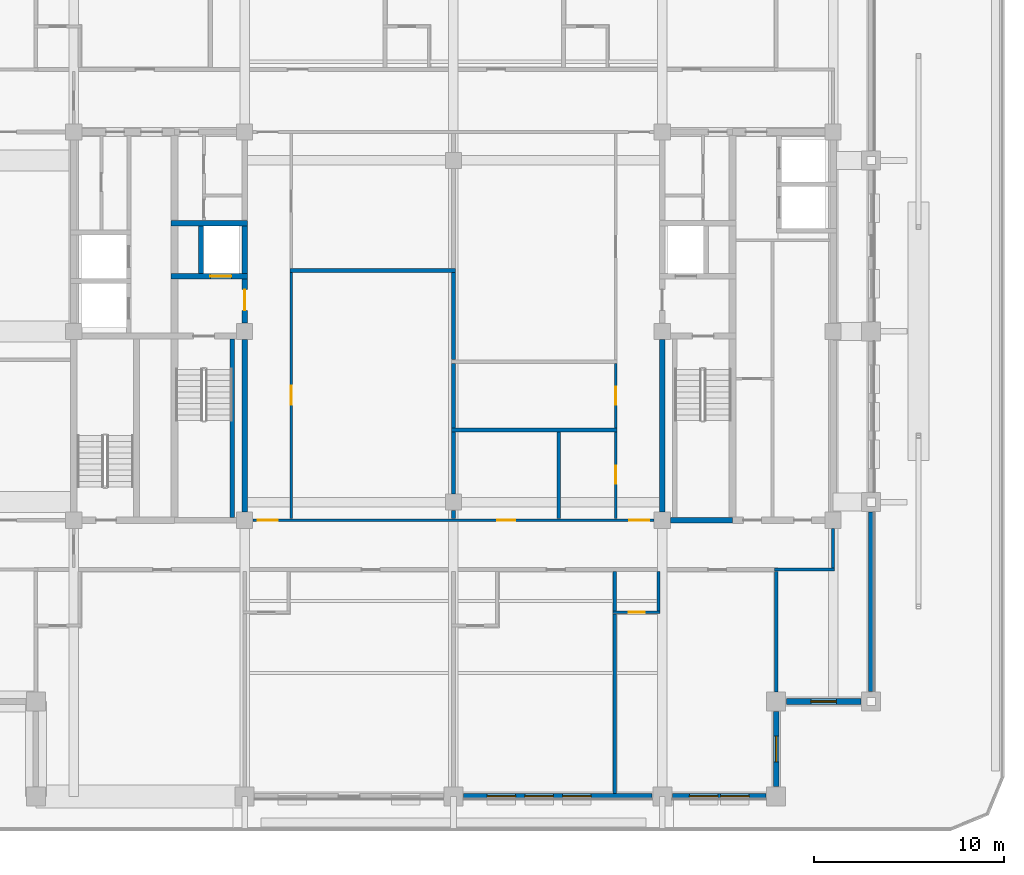
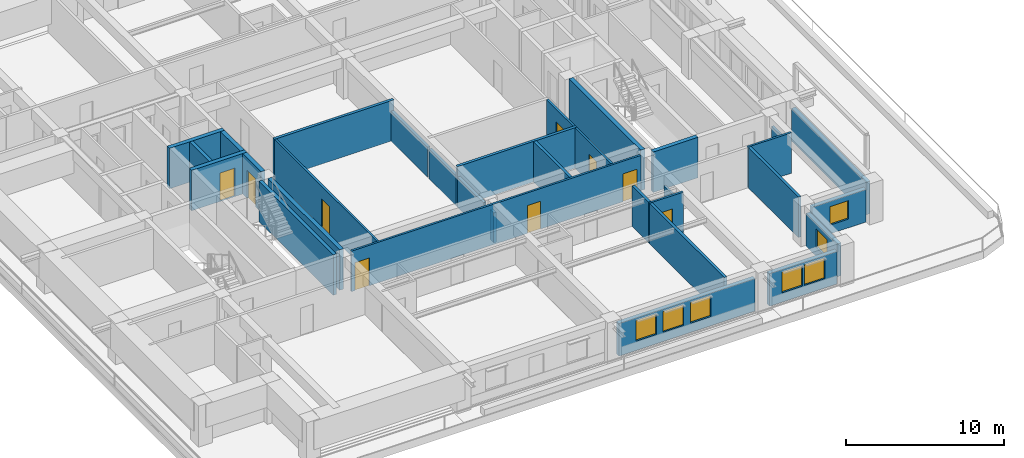
# One storey, part 7 of 18: 32 walls, 9 doors, 7 windows, 16 openings.
"""IFC4 building model written with IfcOpenShell, lengths in metres."""

from ifc_helpers import new_model, si_unit, direction, frame, frame_2d, origin, place, context, subcontext, project, spatial, rectangle, extrude, material, layer, layer_set, type_object, element, fill, save


model = new_model("IFC4")

# Units and contexts
model_context = context("Model", 3, precision=1e-05, world=origin(), true_north=direction((0.0, 1.0)))
body_context = subcontext(model_context, "Body", "Model", "MODEL_VIEW")
ifc_project = project(units=[si_unit("LENGTHUNIT", "METRE"), si_unit("AREAUNIT", "SQUARE_METRE"), si_unit("VOLUMEUNIT", "CUBIC_METRE"), si_unit("PLANEANGLEUNIT", "RADIAN"), si_unit("MASSUNIT", "GRAM", prefix="KILO")], contexts=[model_context])

# Site, building, storey
site_placement = place(None, origin())
site = spatial("IfcSite", under=ifc_project, at=site_placement, CompositionType="ELEMENT")
building_placement = place(site_placement, origin())
building = spatial("IfcBuilding", under=site, at=building_placement, Name="Zulmaris Gate Convention Tower", CompositionType="ELEMENT")
storey_placement = place(building_placement, frame((0.0, 0.0, 191.4599609375)))
storey = spatial("IfcBuildingStorey", under=building, at=storey_placement, Name="L49", CompositionType="ELEMENT", Elevation=191.4599609375)

# Walls
ifc_material_1 = material(Name="Concrete C50/60", Category="concrete")
ifc_layer_1 = layer(ifc_material_1, 0.25, Name="Concrete C50/60")
ifc_layer_set_1 = layer_set([ifc_layer_1], Name="Concrete C50/60")
wall_type_1 = type_object("IfcWallType", Name="CORE-250", PredefinedType="SOLIDWALL", material=ifc_layer_set_1)
wall_1_placement = place(storey_placement, frame((-13.300048828125, 3.052001953125, 0.0), z_axis=(0.0, 0.0, 1.0), x_axis=(0.0, 1.0, 0.0)))
element("IfcWall", 1, at=wall_1_placement, inside=storey, type_object=wall_type_1, Name="WL-L49-055", PredefinedType="SOLIDWALL", context=body_context, shape_type="SweptSolid", body=[
    extrude(rectangle(XDim=2.49609375, YDim=0.25, at=frame_2d((1.248046875, 0.0))), origin(), (0.0, 0.0, 1.0), 3.125),
])
wall_2_placement = place(storey_placement, frame((-11.64990234375, -9.798095703125, 0.0), z_axis=(0.0, 0.0, 1.0), x_axis=(0.0, 1.0, 0.0)))
element("IfcWall", 2, at=wall_2_placement, inside=storey, type_object=wall_type_1, Name="WL-L49-056", PredefinedType="SOLIDWALL", context=body_context, shape_type="SweptSolid", body=[
    extrude(rectangle(XDim=9.39599609375, YDim=0.25, at=frame_2d((4.697998046875, 0.0))), origin(), (0.0, 0.0, 1.0), 3.125),
])
ifc_layer_2 = layer(ifc_material_1, 0.300048828125, Name="Concrete C50/60")
ifc_layer_set_2 = layer_set([ifc_layer_2], Name="Concrete C50/60")
wall_type_2 = type_object("IfcWallType", Name="CORE-300", PredefinedType="SHEAR", material=ifc_layer_set_2)
wall_3_placement = place(storey_placement, frame((11.428955078125, -9.949951171875, 0.0), z_axis=(0.0, 0.0, 1.0), x_axis=(1.0, 0.0, 0.0)))
element("IfcWall", 3, at=wall_3_placement, inside=storey, type_object=wall_type_2, Name="WL-L49-003", PredefinedType="SHEAR", context=body_context, shape_type="SweptSolid", body=[
    extrude(rectangle(XDim=3.27099609375, YDim=0.300048828125, at=frame_2d((1.635498046875, 0.0))), origin(), (0.0, 0.0, 1.0), 3.125),
])

# Wall, opening, door
wall_4_placement = place(storey_placement, frame((-14.875, 2.89990234375, 0.0), z_axis=(0.0, 0.0, 1.0), x_axis=(1.0, 0.0, 0.0)))
wall_4 = element("IfcWall", 4, at=wall_4_placement, inside=storey, type_object=wall_type_2, Name="WL-L49-008", PredefinedType="SHEAR", context=body_context, shape_type="SweptSolid", body=[
    extrude(rectangle(XDim=4.02490234375, YDim=0.300048828125, at=frame_2d((2.012451171875, 0.0))), origin(), (0.0, 0.0, 1.0), 3.125),
])
opening_1_placement = place(wall_4_placement, frame((2.074951171875, 0.0, 0.0)))
opening_1 = element("IfcOpeningElement", 5, at=opening_1_placement, cuts=wall_4, Name="Opening D-06", PredefinedType="OPENING", context=body_context, shape_type="SweptSolid", body=[
    extrude(rectangle(XDim=1.10009765625, YDim=2.199951171875, at=frame_2d((0.550048828125, 1.10009765625))), frame((0.0, 0.16015625, 0.0), z_axis=(0.0, -1.0, 0.0), x_axis=(1.0, 0.0, 0.0)), (0.0, 0.0, 1.0), 0.320068359375),
])
ifc_material_2 = material(Name="Brushed Stainless Steel", Category="steel")
door_type_1 = type_object("IfcDoorType", Name="LD-1100", OperationType="NOTDEFINED", PredefinedType="DOOR", material=ifc_material_2)
door_1_placement = place(opening_1_placement, origin())
door_1 = element("IfcDoor", 6, at=door_1_placement, inside=storey, type_object=door_type_1, Name="L49 Lift Landing Door LF-01 03", OperationType="SLIDING_TO_LEFT", OverallHeight=2.199951171875, OverallWidth=1.10009765625, PredefinedType="DOOR", context=body_context, shape_type="SweptSolid", body=[
    extrude(rectangle(XDim=1.10009765625, YDim=2.199951171875, at=frame_2d((0.550048828125, 1.10009765625))), frame((0.0, 0.02490234375, 0.0), z_axis=(0.0, -1.0, 0.0), x_axis=(1.0, 0.0, 0.0)), (0.0, 0.0, 1.0), 0.050048828125),
])
fill(opening_1, door_1)

# Walls
wall_5_placement = place(storey_placement, frame((-14.875, 5.699951171875, 0.0), z_axis=(0.0, 0.0, 1.0), x_axis=(1.0, 0.0, 0.0)))
element("IfcWall", 7, at=wall_5_placement, inside=storey, type_object=wall_type_2, Name="WL-L49-012", PredefinedType="SHEAR", context=body_context, shape_type="SweptSolid", body=[
    extrude(rectangle(XDim=4.02490234375, YDim=0.300048828125, at=frame_2d((2.012451171875, 0.0))), origin(), (0.0, 0.0, 1.0), 3.125),
])
wall_6_placement = place(storey_placement, frame((-11.0, -9.52099609375, 0.0), z_axis=(0.0, 0.0, 1.0), x_axis=(0.0, 1.0, 0.0)))
element("IfcWall", 8, at=wall_6_placement, inside=storey, type_object=wall_type_2, Name="WL-L49-057", PredefinedType="SHEAR", context=body_context, shape_type="SweptSolid", body=[
    extrude(rectangle(XDim=9.092041015625, YDim=0.300048828125, at=frame_2d((4.5458984375, 0.0))), origin(), (0.0, 0.0, 1.0), 3.125),
])

# Wall, opening, door
wall_7_placement = place(storey_placement, frame((-11.0, 0.428955078125, 0.0), z_axis=(0.0, 0.0, 1.0), x_axis=(0.0, 1.0, 0.0)))
wall_7 = element("IfcWall", 9, at=wall_7_placement, inside=storey, type_object=wall_type_2, Name="WL-L49-058", PredefinedType="SHEAR", context=body_context, shape_type="SweptSolid", body=[
    extrude(rectangle(XDim=2.319091796875, YDim=0.300048828125, at=frame_2d((1.15966796875, 0.0))), origin(), (0.0, 0.0, 1.0), 3.125),
])
opening_2_placement = place(wall_7_placement, frame((0.6708984375, 0.0, 0.0)))
opening_2 = element("IfcOpeningElement", 10, at=opening_2_placement, cuts=wall_7, Name="Opening D-08", PredefinedType="OPENING", context=body_context, shape_type="SweptSolid", body=[
    extrude(rectangle(XDim=1.10009765625, YDim=2.14990234375, at=frame_2d((0.550048828125, 1.074951171875))), frame((0.0, 0.16015625, 0.0), z_axis=(0.0, -1.0, 0.0), x_axis=(1.0, 0.0, 0.0)), (0.0, 0.0, 1.0), 0.320068359375),
])
ifc_material_3 = material(Name="Fire-Rated Steel", Category="steel")
door_type_2 = type_object("IfcDoorType", Name="DR-1100-FD", OperationType="NOTDEFINED", PredefinedType="DOOR", material=ifc_material_3)
door_2_placement = place(opening_2_placement, origin())
door_2 = element("IfcDoor", 11, at=door_2_placement, inside=storey, type_object=door_type_2, Name="L49 West Firefighting Lobby Door 02", OperationType="SINGLE_SWING_RIGHT", OverallHeight=2.14990234375, OverallWidth=1.10009765625, PredefinedType="DOOR", context=body_context, shape_type="SweptSolid", body=[
    extrude(rectangle(XDim=1.10009765625, YDim=2.14990234375, at=frame_2d((0.550048828125, 1.074951171875))), frame((0.0, 0.02490234375, 0.0), z_axis=(0.0, -1.0, 0.0), x_axis=(1.0, 0.0, 0.0)), (0.0, 0.0, 1.0), 0.050048828125),
])
fill(opening_2, door_2)

# Walls
wall_8_placement = place(storey_placement, frame((-11.0, 3.052001953125, 0.0), z_axis=(0.0, 0.0, 1.0), x_axis=(0.0, 1.0, 0.0)))
element("IfcWall", 12, at=wall_8_placement, inside=storey, type_object=wall_type_2, Name="WL-L49-059", PredefinedType="SHEAR", context=body_context, shape_type="SweptSolid", body=[
    extrude(rectangle(XDim=2.49609375, YDim=0.300048828125, at=frame_2d((1.248046875, 0.0))), origin(), (0.0, 0.0, 1.0), 3.125),
])
wall_9_placement = place(storey_placement, frame((11.0, -9.52099609375, 0.0), z_axis=(0.0, 0.0, 1.0), x_axis=(0.0, 1.0, 0.0)))
element("IfcWall", 13, at=wall_9_placement, inside=storey, type_object=wall_type_2, Name="WL-L49-061", PredefinedType="SHEAR", context=body_context, shape_type="SweptSolid", body=[
    extrude(rectangle(XDim=9.092041015625, YDim=0.300048828125, at=frame_2d((4.5458984375, 0.0))), origin(), (0.0, 0.0, 1.0), 3.125),
])

# Wall, opening, door
ifc_material_4 = material(Name="Gypsum Metal Stud Partition")
ifc_layer_3 = layer(ifc_material_4, 0.14990234375, Name="Gypsum Metal Stud Partition")
ifc_layer_set_3 = layer_set([ifc_layer_3], Name="Gypsum Metal Stud Partition")
wall_type_3 = type_object("IfcWallType", Name="PART-150", PredefinedType="PARTITIONING", material=ifc_layer_set_3)
wall_10_placement = place(storey_placement, frame((8.39990234375, -14.800048828125, 0.0), z_axis=(0.0, 0.0, 1.0), x_axis=(1.0, 0.0, 0.0)))
wall_10 = element("IfcWall", 14, at=wall_10_placement, inside=storey, type_object=wall_type_3, Name="WL-L49-022", PredefinedType="PARTITIONING", context=body_context, shape_type="SweptSolid", body=[
    extrude(rectangle(XDim=2.47509765625, YDim=0.14990234375, at=frame_2d((1.237548828125, 0.0))), origin(), (0.0, 0.0, 1.0), 3.125),
])
opening_3_placement = place(wall_10_placement, frame((0.824951171875, 0.0, 0.0)))
opening_3 = element("IfcOpeningElement", 15, at=opening_3_placement, cuts=wall_10, Name="Opening D-17", PredefinedType="OPENING", context=body_context, shape_type="SweptSolid", body=[
    extrude(rectangle(XDim=0.85009765625, YDim=2.10009765625, at=frame_2d((0.425048828125, 1.050048828125))), frame((0.0, 0.0849609375, 0.0), z_axis=(0.0, -1.0, 0.0), x_axis=(1.0, 0.0, 0.0)), (0.0, 0.0, 1.0), 0.169921875),
])
ifc_material_5 = material(Name="Moisture-Resistant Hardwood Timber", Category="wood")
door_type_3 = type_object("IfcDoorType", Name="DR-850", OperationType="NOTDEFINED", PredefinedType="DOOR", material=ifc_material_5)
door_3_placement = place(opening_3_placement, origin())
door_3 = element("IfcDoor", 16, at=door_3_placement, inside=storey, type_object=door_type_3, Name="L49 En-Suite Door 43", OperationType="SINGLE_SWING_LEFT", OverallHeight=2.10009765625, OverallWidth=0.85009765625, PredefinedType="DOOR", context=body_context, shape_type="SweptSolid", body=[
    extrude(rectangle(XDim=0.85009765625, YDim=2.10009765625, at=frame_2d((0.425048828125, 1.050048828125))), frame((0.0, 0.02490234375, 0.0), z_axis=(0.0, -1.0, 0.0), x_axis=(1.0, 0.0, 0.0)), (0.0, 0.0, 1.0), 0.050048828125),
])
fill(opening_3, door_3)

# Wall
wall_11_placement = place(storey_placement, frame((16.89990234375, -12.550048828125, 0.0), z_axis=(0.0, 0.0, 1.0), x_axis=(1.0, 0.0, 0.0)))
element("IfcWall", 17, at=wall_11_placement, inside=storey, type_object=wall_type_3, Name="WL-L49-025", PredefinedType="PARTITIONING", context=body_context, shape_type="SweptSolid", body=[
    extrude(rectangle(XDim=3.175048828125, YDim=0.14990234375, at=frame_2d((1.58740234375, 0.0))), origin(), (0.0, 0.0, 1.0), 3.125),
])

# Wall, openings, doors
wall_12_placement = place(storey_placement, frame((-10.569091796875, -9.949951171875, 0.0), z_axis=(0.0, 0.0, 1.0), x_axis=(1.0, 0.0, 0.0)))
wall_12 = element("IfcWall", 18, at=wall_12_placement, inside=storey, type_object=wall_type_3, Name="WL-L49-027", PredefinedType="PARTITIONING", context=body_context, shape_type="SweptSolid", body=[
    extrude(rectangle(XDim=21.13818359375, YDim=0.14990234375, at=frame_2d((10.569091796875, 0.0))), origin(), (0.0, 0.0, 1.0), 3.125),
])
opening_4_placement = place(wall_12_placement, frame((0.263916015625, 0.0, 0.0)))
opening_4 = element("IfcOpeningElement", 19, at=opening_4_placement, cuts=wall_12, Name="Opening D-09", PredefinedType="OPENING", context=body_context, shape_type="SweptSolid", body=[
    extrude(rectangle(XDim=1.050048828125, YDim=2.14990234375, at=frame_2d((0.52490234375, 1.074951171875))), frame((0.0, 0.0849609375, 0.0), z_axis=(0.0, -1.0, 0.0), x_axis=(1.0, 0.0, 0.0)), (0.0, 0.0, 1.0), 0.169921875),
])
opening_5_placement = place(wall_12_placement, frame((19.823974609375, 0.0, 0.0)))
opening_5 = element("IfcOpeningElement", 20, at=opening_5_placement, cuts=wall_12, Name="Opening D-09", PredefinedType="OPENING", context=body_context, shape_type="SweptSolid", body=[
    extrude(rectangle(XDim=1.050048828125, YDim=2.14990234375, at=frame_2d((0.52490234375, 1.074951171875))), frame((0.0, 0.0849609375, 0.0), z_axis=(0.0, -1.0, 0.0), x_axis=(1.0, 0.0, 0.0)), (0.0, 0.0, 1.0), 0.169921875),
])
opening_6_placement = place(wall_12_placement, frame((12.8740234375, 0.0, 0.0)))
opening_6 = element("IfcOpeningElement", 21, at=opening_6_placement, cuts=wall_12, Name="Opening D-11", PredefinedType="OPENING", context=body_context, shape_type="SweptSolid", body=[
    extrude(rectangle(XDim=0.949951171875, YDim=2.14990234375, at=frame_2d((0.47509765625, 1.074951171875))), frame((0.0, 0.0849609375, 0.0), z_axis=(0.0, -1.0, 0.0), x_axis=(1.0, 0.0, 0.0)), (0.0, 0.0, 1.0), 0.169921875),
])
door_type_4 = type_object("IfcDoorType", Name="DR-1050-FD", OperationType="NOTDEFINED", PredefinedType="DOOR", material=ifc_material_3)
door_4_placement = place(opening_4_placement, origin())
door_4 = element("IfcDoor", 22, at=door_4_placement, inside=storey, type_object=door_type_4, Name="L49 SW Hotel Loop Door 26", OperationType="SINGLE_SWING_RIGHT", OverallHeight=2.14990234375, OverallWidth=1.050048828125, PredefinedType="DOOR", context=body_context, shape_type="SweptSolid", body=[
    extrude(rectangle(XDim=1.050048828125, YDim=2.14990234375, at=frame_2d((0.52490234375, 1.074951171875))), frame((0.0, 0.02490234375, 0.0), z_axis=(0.0, -1.0, 0.0), x_axis=(1.0, 0.0, 0.0)), (0.0, 0.0, 1.0), 0.050048828125),
])
fill(opening_4, door_4)
door_5_placement = place(opening_5_placement, origin())
door_5 = element("IfcDoor", 23, at=door_5_placement, inside=storey, type_object=door_type_4, Name="L49 SE Hotel Loop Door 28", OperationType="SINGLE_SWING_RIGHT", OverallHeight=2.14990234375, OverallWidth=1.050048828125, PredefinedType="DOOR", context=body_context, shape_type="SweptSolid", body=[
    extrude(rectangle(XDim=1.050048828125, YDim=2.14990234375, at=frame_2d((0.52490234375, 1.074951171875))), frame((0.0, 0.02490234375, 0.0), z_axis=(0.0, -1.0, 0.0), x_axis=(1.0, 0.0, 0.0)), (0.0, 0.0, 1.0), 0.050048828125),
])
fill(opening_5, door_5)
ifc_material_6 = material(Name="Fire-Rated Timber", Category="wood")
door_type_5 = type_object("IfcDoorType", Name="DR-950-FD", OperationType="NOTDEFINED", PredefinedType="DOOR", material=ifc_material_6)
door_6_placement = place(opening_6_placement, origin())
door_6 = element("IfcDoor", 24, at=door_6_placement, inside=storey, type_object=door_type_5, Name="L49 Staging Store Door 49", OperationType="SINGLE_SWING_LEFT", OverallHeight=2.14990234375, OverallWidth=0.949951171875, PredefinedType="DOOR", context=body_context, shape_type="SweptSolid", body=[
    extrude(rectangle(XDim=0.949951171875, YDim=2.14990234375, at=frame_2d((0.47509765625, 1.074951171875))), frame((0.0, 0.02490234375, 0.0), z_axis=(0.0, -1.0, 0.0), x_axis=(1.0, 0.0, 0.0)), (0.0, 0.0, 1.0), 0.050048828125),
])
fill(opening_6, door_6)

# Wall, opening, door
wall_13_placement = place(storey_placement, frame((-8.550048828125, -9.8720703125, 0.0), z_axis=(0.0, 0.0, 1.0), x_axis=(0.0, 1.0, 0.0)))
wall_13 = element("IfcWall", 25, at=wall_13_placement, inside=storey, type_object=wall_type_3, Name="WL-L49-092", PredefinedType="PARTITIONING", context=body_context, shape_type="SweptSolid", body=[
    extrude(rectangle(XDim=12.968994140625, YDim=0.14990234375, at=frame_2d((6.484375, 0.0))), origin(), (0.0, 0.0, 1.0), 3.125),
])
opening_7_placement = place(wall_13_placement, frame((6.001953125, 0.0, 0.0)))
opening_7 = element("IfcOpeningElement", 26, at=opening_7_placement, cuts=wall_13, Name="Opening D-10", PredefinedType="OPENING", context=body_context, shape_type="SweptSolid", body=[
    extrude(rectangle(XDim=1.0, YDim=2.14990234375, at=frame_2d((0.5, 1.074951171875))), frame((0.0, 0.0849609375, 0.0), z_axis=(0.0, -1.0, 0.0), x_axis=(1.0, 0.0, 0.0)), (0.0, 0.0, 1.0), 0.169921875),
])
door_type_6 = type_object("IfcDoorType", Name="DR-1000-FD", OperationType="NOTDEFINED", PredefinedType="DOOR", material=ifc_material_6)
door_7_placement = place(opening_7_placement, origin())
door_7 = element("IfcDoor", 27, at=door_7_placement, inside=storey, type_object=door_type_6, Name="L49 Guest Study Door 45", OperationType="SINGLE_SWING_LEFT", OverallHeight=2.14990234375, OverallWidth=1.0, PredefinedType="DOOR", context=body_context, shape_type="SweptSolid", body=[
    extrude(rectangle(XDim=1.0, YDim=2.14990234375, at=frame_2d((0.5, 1.074951171875))), frame((0.0, 0.02490234375, 0.0), z_axis=(0.0, -1.0, 0.0), x_axis=(1.0, 0.0, 0.0)), (0.0, 0.0, 1.0), 0.050048828125),
])
fill(opening_7, door_7)

wall_14_placement = place(storey_placement, frame((8.550048828125, -9.8720703125, 0.0), z_axis=(0.0, 0.0, 1.0), x_axis=(0.0, 1.0, 0.0)))
wall_14 = element("IfcWall", 28, at=wall_14_placement, inside=storey, type_object=wall_type_3, Name="WL-L49-110", PredefinedType="PARTITIONING", context=body_context, shape_type="SweptSolid", body=[
    extrude(rectangle(XDim=4.569091796875, YDim=0.14990234375, at=frame_2d((2.28466796875, 0.0))), origin(), (0.0, 0.0, 1.0), 3.125),
])
opening_8_placement = place(wall_14_placement, frame((1.846923828125, 0.0, 0.0)))
opening_8 = element("IfcOpeningElement", 29, at=opening_8_placement, cuts=wall_14, Name="Opening D-11", PredefinedType="OPENING", context=body_context, shape_type="SweptSolid", body=[
    extrude(rectangle(XDim=0.949951171875, YDim=2.14990234375, at=frame_2d((0.47509765625, 1.074951171875))), frame((0.0, 0.0849609375, 0.0), z_axis=(0.0, -1.0, 0.0), x_axis=(1.0, 0.0, 0.0)), (0.0, 0.0, 1.0), 0.169921875),
])
door_8_placement = place(opening_8_placement, origin())
door_8 = element("IfcDoor", 30, at=door_8_placement, inside=storey, type_object=door_type_5, Name="L49 Accessible WC Door 48", OperationType="SINGLE_SWING_RIGHT", OverallHeight=2.14990234375, OverallWidth=0.949951171875, PredefinedType="DOOR", context=body_context, shape_type="SweptSolid", body=[
    extrude(rectangle(XDim=0.949951171875, YDim=2.14990234375, at=frame_2d((0.47509765625, 1.074951171875))), frame((0.0, 0.02490234375, 0.0), z_axis=(0.0, -1.0, 0.0), x_axis=(1.0, 0.0, 0.0)), (0.0, 0.0, 1.0), 0.050048828125),
])
fill(opening_8, door_8)

wall_15_placement = place(storey_placement, frame((8.550048828125, -5.096923828125, 0.0), z_axis=(0.0, 0.0, 1.0), x_axis=(0.0, 1.0, 0.0)))
wall_15 = element("IfcWall", 31, at=wall_15_placement, inside=storey, type_object=wall_type_3, Name="WL-L49-111", PredefinedType="PARTITIONING", context=body_context, shape_type="SweptSolid", body=[
    extrude(rectangle(XDim=3.39404296875, YDim=0.14990234375, at=frame_2d((1.697021484375, 0.0))), origin(), (0.0, 0.0, 1.0), 3.125),
])
opening_9_placement = place(wall_15_placement, frame((1.221923828125, 0.0, 0.0)))
opening_9 = element("IfcOpeningElement", 32, at=opening_9_placement, cuts=wall_15, Name="Opening D-11", PredefinedType="OPENING", context=body_context, shape_type="SweptSolid", body=[
    extrude(rectangle(XDim=0.949951171875, YDim=2.14990234375, at=frame_2d((0.47509765625, 1.074951171875))), frame((0.0, 0.0849609375, 0.0), z_axis=(0.0, -1.0, 0.0), x_axis=(1.0, 0.0, 0.0)), (0.0, 0.0, 1.0), 0.169921875),
])
door_9_placement = place(opening_9_placement, origin())
door_9 = element("IfcDoor", 33, at=door_9_placement, inside=storey, type_object=door_type_5, Name="L49 Public WC Door 47", OperationType="SINGLE_SWING_LEFT", OverallHeight=2.14990234375, OverallWidth=0.949951171875, PredefinedType="DOOR", context=body_context, shape_type="SweptSolid", body=[
    extrude(rectangle(XDim=0.949951171875, YDim=2.14990234375, at=frame_2d((0.47509765625, 1.074951171875))), frame((0.0, 0.02490234375, 0.0), z_axis=(0.0, -1.0, 0.0), x_axis=(1.0, 0.0, 0.0)), (0.0, 0.0, 1.0), 0.050048828125),
])
fill(opening_9, door_9)

# Walls
wall_16_placement = place(storey_placement, frame((10.800048828125, -14.721923828125, 0.0), z_axis=(0.0, 0.0, 1.0), x_axis=(0.0, 1.0, 0.0)))
element("IfcWall", 34, at=wall_16_placement, inside=storey, type_object=wall_type_3, Name="WL-L49-113", PredefinedType="PARTITIONING", context=body_context, shape_type="SweptSolid", body=[
    extrude(rectangle(XDim=2.06884765625, YDim=0.14990234375, at=frame_2d((1.034423828125, 0.0))), origin(), (0.0, 0.0, 1.0), 2.31689453125),
])
wall_17_placement = place(storey_placement, frame((20.0, -12.471923828125, 0.0), z_axis=(0.0, 0.0, 1.0), x_axis=(0.0, 1.0, 0.0)))
element("IfcWall", 35, at=wall_17_placement, inside=storey, type_object=wall_type_3, Name="WL-L49-120", PredefinedType="PARTITIONING", context=body_context, shape_type="SweptSolid", body=[
    extrude(rectangle(XDim=2.0908203125, YDim=0.14990234375, at=frame_2d((1.04541015625, 0.0))), origin(), (0.0, 0.0, 1.0), 2.31689453125),
])
ifc_material_7 = material(Name="Autoclaved Aerated Concrete Block and Plasterboard", Category="concrete")
ifc_layer_4 = layer(ifc_material_7, 0.199951171875, Name="Autoclaved Aerated Concrete Block and Plasterboard")
ifc_layer_set_4 = layer_set([ifc_layer_4], Name="Autoclaved Aerated Concrete Block and Plasterboard")
wall_type_4 = type_object("IfcWallType", Name="PART-200", PredefinedType="PARTITIONING", material=ifc_layer_set_4)
for number, where, z_axis, x_axis, name in (
    (36, (-0.10009765625, -5.199951171875, 0.0), (0.0, 0.0, 1.0), (1.0, 0.0, 0.0), "WL-L49-028"),
    (37, (-8.625, 3.199951171875, 0.0), (0.0, 0.0, 1.0), (1.0, 0.0, 0.0), "WL-L49-032"),
):
    element("IfcWall", number, at=place(storey_placement, frame(where, z_axis=z_axis, x_axis=x_axis)), inside=storey, type_object=wall_type_4, Name=name, PredefinedType="PARTITIONING", context=body_context, shape_type="SweptSolid", body=[
        extrude(rectangle(XDim=8.72509765625, YDim=0.199951171875, at=frame_2d((4.362548828125, 0.0))), origin(), (0.0, 0.0, 1.0), 3.125),
    ])
wall_18_placement = place(storey_placement, frame((0.0, -9.8720703125, 0.0), z_axis=(0.0, 0.0, 1.0), x_axis=(0.0, 1.0, 0.0)))
element("IfcWall", 38, at=wall_18_placement, inside=storey, type_object=wall_type_4, Name="WL-L49-099", PredefinedType="PARTITIONING", context=body_context, shape_type="SweptSolid", body=[
    extrude(rectangle(XDim=0.441162109375, YDim=0.199951171875, at=frame_2d((0.220703125, 0.0))), origin(), (0.0, 0.0, 1.0), 2.31689453125),
])
wall_19_placement = place(storey_placement, frame((0.0, -8.569091796875, 0.0), z_axis=(0.0, 0.0, 1.0), x_axis=(0.0, 1.0, 0.0)))
element("IfcWall", 39, at=wall_19_placement, inside=storey, type_object=wall_type_4, Name="WL-L49-099S1", PredefinedType="PARTITIONING", context=body_context, shape_type="SweptSolid", body=[
    extrude(rectangle(XDim=3.26611328125, YDim=0.199951171875, at=frame_2d((1.633056640625, 0.0))), origin(), (0.0, 0.0, 1.0), 2.31689453125),
])
wall_20_placement = place(storey_placement, frame((0.0, -5.096923828125, 0.0), z_axis=(0.0, 0.0, 1.0), x_axis=(0.0, 1.0, 0.0)))
element("IfcWall", 40, at=wall_20_placement, inside=storey, type_object=wall_type_4, Name="WL-L49-100", PredefinedType="PARTITIONING", context=body_context, shape_type="SweptSolid", body=[
    extrude(rectangle(XDim=3.39404296875, YDim=0.199951171875, at=frame_2d((1.697021484375, 0.0))), origin(), (0.0, 0.0, 1.0), 2.31689453125),
])
wall_21_placement = place(storey_placement, frame((0.0, -1.4970703125, 0.0), z_axis=(0.0, 0.0, 1.0), x_axis=(0.0, 1.0, 0.0)))
element("IfcWall", 41, at=wall_21_placement, inside=storey, type_object=wall_type_4, Name="WL-L49-101", PredefinedType="PARTITIONING", context=body_context, shape_type="SweptSolid", body=[
    extrude(rectangle(XDim=4.593994140625, YDim=0.199951171875, at=frame_2d((2.296875, 0.0))), origin(), (0.0, 0.0, 1.0), 2.31689453125),
])
wall_22_placement = place(storey_placement, frame((5.550048828125, -9.8720703125, 0.0), z_axis=(0.0, 0.0, 1.0), x_axis=(0.0, 1.0, 0.0)))
element("IfcWall", 42, at=wall_22_placement, inside=storey, type_object=wall_type_4, Name="WL-L49-104", PredefinedType="PARTITIONING", context=body_context, shape_type="SweptSolid", body=[
    extrude(rectangle(XDim=4.569091796875, YDim=0.199951171875, at=frame_2d((2.28466796875, 0.0))), origin(), (0.0, 0.0, 1.0), 3.125),
])
wall_23_placement = place(storey_placement, frame((8.5, -24.3349609375, 0.0), z_axis=(0.0, 0.0, 1.0), x_axis=(0.0, 1.0, 0.0)))
element("IfcWall", 43, at=wall_23_placement, inside=storey, type_object=wall_type_4, Name="WL-L49-108", PredefinedType="PARTITIONING", context=body_context, shape_type="SweptSolid", body=[
    extrude(rectangle(XDim=9.45703125, YDim=0.199951171875, at=frame_2d((4.728515625, 0.0))), origin(), (0.0, 0.0, 1.0), 3.125),
])
wall_24_placement = place(storey_placement, frame((8.5, -14.721923828125, 0.0), z_axis=(0.0, 0.0, 1.0), x_axis=(0.0, 1.0, 0.0)))
element("IfcWall", 44, at=wall_24_placement, inside=storey, type_object=wall_type_4, Name="WL-L49-109", PredefinedType="PARTITIONING", context=body_context, shape_type="SweptSolid", body=[
    extrude(rectangle(XDim=2.06884765625, YDim=0.199951171875, at=frame_2d((1.034423828125, 0.0))), origin(), (0.0, 0.0, 1.0), 3.125),
])
wall_25_placement = place(storey_placement, frame((17.0, -18.993896484375, 0.0), z_axis=(0.0, 0.0, 1.0), x_axis=(0.0, 1.0, 0.0)))
element("IfcWall", 45, at=wall_25_placement, inside=storey, type_object=wall_type_4, Name="WL-L49-118", PredefinedType="PARTITIONING", context=body_context, shape_type="SweptSolid", body=[
    extrude(rectangle(XDim=6.3408203125, YDim=0.199951171875, at=frame_2d((3.17041015625, 0.0))), origin(), (0.0, 0.0, 1.0), 3.125),
])

# Wall, opening, window
ifc_material_8 = material(Name="Precast concrete C40/50", Category="concrete")
ifc_layer_5 = layer(ifc_material_8, 0.300048828125, Name="Precast concrete C40/50")
ifc_layer_set_5 = layer_set([ifc_layer_5], Name="Precast concrete C40/50")
wall_type_5 = type_object("IfcWallType", Name="PRECAST-PIER-300", PredefinedType="STANDARD", material=ifc_layer_set_5)
wall_26_placement = place(storey_placement, frame((17.0, -23.969970703125, 0.0), z_axis=(0.0, 0.0, 1.0), x_axis=(0.0, 1.0, 0.0)))
wall_26 = element("IfcWall", 46, at=wall_26_placement, inside=storey, type_object=wall_type_5, Name="EW-L49-NOTCH-SE1_0", PredefinedType="STANDARD", context=body_context, shape_type="SweptSolid", body=[
    extrude(rectangle(XDim=3.93994140625, YDim=0.300048828125, at=frame_2d((1.969970703125, 0.0))), origin(), (0.0, 0.0, 1.0), 2.516845703125),
])
opening_10_placement = place(wall_26_placement, frame((1.294921875, 0.0, 0.679931640625)))
opening_10 = element("IfcOpeningElement", 47, at=opening_10_placement, cuts=wall_26, Name="Opening W-10", PredefinedType="OPENING", context=body_context, shape_type="SweptSolid", body=[
    extrude(rectangle(XDim=1.35009765625, YDim=1.419921875, at=frame_2d((0.675048828125, 0.7099609375))), frame((0.0, 0.16015625, 0.0), z_axis=(0.0, -1.0, 0.0), x_axis=(1.0, 0.0, 0.0)), (0.0, 0.0, 1.0), 0.320068359375),
])
ifc_material_9 = material(Name="Low-E Laminated Double Glazing in Aluminium Frame", Category="aluminium")
window_type_1 = type_object("IfcWindowType", Name="WIN-1350x2000", PartitioningType="SINGLE_PANEL", PredefinedType="WINDOW", material=ifc_material_9)
window_1_placement = place(opening_10_placement, origin())
window_1 = element("IfcWindow", 48, at=window_1_placement, inside=storey, type_object=window_type_1, Name="WN-EW-L49-NOTCH-SE1_0", OverallHeight=1.419921875, OverallWidth=1.35009765625, PartitioningType="SINGLE_PANEL", PredefinedType="WINDOW", context=body_context, shape_type="SweptSolid", body=[
    extrude(rectangle(XDim=1.35009765625, YDim=1.419921875, at=frame_2d((0.675048828125, 0.7099609375))), frame((0.0, 0.030029296875, 0.0), z_axis=(0.0, -1.0, 0.0), x_axis=(1.0, 0.0, 0.0)), (0.0, 0.0, 1.0), 0.06005859375),
])
fill(opening_10, window_1)

wall_27_placement = place(storey_placement, frame((17.530029296875, -19.5, 0.0), z_axis=(0.0, 0.0, 1.0), x_axis=(1.0, 0.0, 0.0)))
wall_27 = element("IfcWall", 49, at=wall_27_placement, inside=storey, type_object=wall_type_5, Name="EW-L49-NOTCH-SE2_0", PredefinedType="STANDARD", context=body_context, shape_type="SweptSolid", body=[
    extrude(rectangle(XDim=3.93994140625, YDim=0.300048828125, at=frame_2d((1.969970703125, 0.0))), origin(), (0.0, 0.0, 1.0), 2.516845703125),
])
opening_11_placement = place(wall_27_placement, frame((1.294921875, 0.0, 0.679931640625)))
opening_11 = element("IfcOpeningElement", 50, at=opening_11_placement, cuts=wall_27, Name="Opening W-10", PredefinedType="OPENING", context=body_context, shape_type="SweptSolid", body=[
    extrude(rectangle(XDim=1.35009765625, YDim=1.419921875, at=frame_2d((0.675048828125, 0.7099609375))), frame((0.0, 0.16015625, 0.0), z_axis=(0.0, -1.0, 0.0), x_axis=(1.0, 0.0, 0.0)), (0.0, 0.0, 1.0), 0.320068359375),
])
window_2_placement = place(opening_11_placement, origin())
window_2 = element("IfcWindow", 51, at=window_2_placement, inside=storey, type_object=window_type_1, Name="WN-EW-L49-NOTCH-SE2_0", OverallHeight=1.419921875, OverallWidth=1.35009765625, PartitioningType="SINGLE_PANEL", PredefinedType="WINDOW", context=body_context, shape_type="SweptSolid", body=[
    extrude(rectangle(XDim=1.35009765625, YDim=1.419921875, at=frame_2d((0.675048828125, 0.7099609375))), frame((0.0, 0.030029296875, 0.0), z_axis=(0.0, -1.0, 0.0), x_axis=(1.0, 0.0, 0.0)), (0.0, 0.0, 1.0), 0.06005859375),
])
fill(opening_11, window_2)

# Wall, openings, windows
wall_28_placement = place(storey_placement, frame((0.530029296875, -24.5, 0.0), z_axis=(0.0, 0.0, 1.0), x_axis=(1.0, 0.0, 0.0)))
wall_28 = element("IfcWall", 52, at=wall_28_placement, inside=storey, type_object=wall_type_5, Name="EW-L49-S-2_0", PredefinedType="STANDARD", context=body_context, shape_type="SweptSolid", body=[
    extrude(rectangle(XDim=9.93994140625, YDim=0.300048828125, at=frame_2d((4.969970703125, 0.0))), origin(), (0.0, 0.0, 1.0), 2.516845703125),
])
opening_12_placement = place(wall_28_placement, frame((1.238037109375, 0.0, 0.719970703125)))
opening_12 = element("IfcOpeningElement", 53, at=opening_12_placement, cuts=wall_28, Name="Opening W-03", PredefinedType="OPENING", context=body_context, shape_type="SweptSolid", body=[
    extrude(rectangle(XDim=1.5, YDim=1.60009765625, at=frame_2d((0.75, 0.800048828125))), frame((0.0, 0.16015625, 0.0), z_axis=(0.0, -1.0, 0.0), x_axis=(1.0, 0.0, 0.0)), (0.0, 0.0, 1.0), 0.320068359375),
])
opening_13_placement = place(wall_28_placement, frame((3.22607421875, 0.0, 0.719970703125)))
opening_13 = element("IfcOpeningElement", 54, at=opening_13_placement, cuts=wall_28, Name="Opening W-03", PredefinedType="OPENING", context=body_context, shape_type="SweptSolid", body=[
    extrude(rectangle(XDim=1.5, YDim=1.60009765625, at=frame_2d((0.75, 0.800048828125))), frame((0.0, 0.16015625, 0.0), z_axis=(0.0, -1.0, 0.0), x_axis=(1.0, 0.0, 0.0)), (0.0, 0.0, 1.0), 0.320068359375),
])
opening_14_placement = place(wall_28_placement, frame((5.214111328125, 0.0, 0.719970703125)))
opening_14 = element("IfcOpeningElement", 55, at=opening_14_placement, cuts=wall_28, Name="Opening W-03", PredefinedType="OPENING", context=body_context, shape_type="SweptSolid", body=[
    extrude(rectangle(XDim=1.5, YDim=1.60009765625, at=frame_2d((0.75, 0.800048828125))), frame((0.0, 0.16015625, 0.0), z_axis=(0.0, -1.0, 0.0), x_axis=(1.0, 0.0, 0.0)), (0.0, 0.0, 1.0), 0.320068359375),
])
window_type_2 = type_object("IfcWindowType", Name="WIN-1500x2100", PartitioningType="SINGLE_PANEL", PredefinedType="WINDOW", material=ifc_material_9)
window_3_placement = place(opening_12_placement, origin())
window_3 = element("IfcWindow", 56, at=window_3_placement, inside=storey, type_object=window_type_2, Name="WN-EW-L49-S-2_0-1", OverallHeight=1.60009765625, OverallWidth=1.5, PartitioningType="SINGLE_PANEL", PredefinedType="WINDOW", context=body_context, shape_type="SweptSolid", body=[
    extrude(rectangle(XDim=1.5, YDim=1.60009765625, at=frame_2d((0.75, 0.800048828125))), frame((0.0, 0.030029296875, 0.0), z_axis=(0.0, -1.0, 0.0), x_axis=(1.0, 0.0, 0.0)), (0.0, 0.0, 1.0), 0.06005859375),
])
fill(opening_12, window_3)
window_4_placement = place(opening_13_placement, origin())
window_4 = element("IfcWindow", 57, at=window_4_placement, inside=storey, type_object=window_type_2, Name="WN-EW-L49-S-2_0-2", OverallHeight=1.60009765625, OverallWidth=1.5, PartitioningType="SINGLE_PANEL", PredefinedType="WINDOW", context=body_context, shape_type="SweptSolid", body=[
    extrude(rectangle(XDim=1.5, YDim=1.60009765625, at=frame_2d((0.75, 0.800048828125))), frame((0.0, 0.030029296875, 0.0), z_axis=(0.0, -1.0, 0.0), x_axis=(1.0, 0.0, 0.0)), (0.0, 0.0, 1.0), 0.06005859375),
])
fill(opening_13, window_4)
window_5_placement = place(opening_14_placement, origin())
window_5 = element("IfcWindow", 58, at=window_5_placement, inside=storey, type_object=window_type_2, Name="WN-EW-L49-S-2_0-3", OverallHeight=1.60009765625, OverallWidth=1.5, PartitioningType="SINGLE_PANEL", PredefinedType="WINDOW", context=body_context, shape_type="SweptSolid", body=[
    extrude(rectangle(XDim=1.5, YDim=1.60009765625, at=frame_2d((0.75, 0.800048828125))), frame((0.0, 0.030029296875, 0.0), z_axis=(0.0, -1.0, 0.0), x_axis=(1.0, 0.0, 0.0)), (0.0, 0.0, 1.0), 0.06005859375),
])
fill(opening_14, window_5)

wall_29_placement = place(storey_placement, frame((11.530029296875, -24.5, 0.0), z_axis=(0.0, 0.0, 1.0), x_axis=(1.0, 0.0, 0.0)))
wall_29 = element("IfcWall", 59, at=wall_29_placement, inside=storey, type_object=wall_type_5, Name="EW-L49-S-3_0", PredefinedType="STANDARD", context=body_context, shape_type="SweptSolid", body=[
    extrude(rectangle(XDim=4.93994140625, YDim=0.300048828125, at=frame_2d((2.469970703125, 0.0))), origin(), (0.0, 0.0, 1.0), 2.516845703125),
])
opening_15_placement = place(wall_29_placement, frame((0.89697265625, 0.0, 0.719970703125)))
opening_15 = element("IfcOpeningElement", 60, at=opening_15_placement, cuts=wall_29, Name="Opening W-03", PredefinedType="OPENING", context=body_context, shape_type="SweptSolid", body=[
    extrude(rectangle(XDim=1.5, YDim=1.60009765625, at=frame_2d((0.75, 0.800048828125))), frame((0.0, 0.16015625, 0.0), z_axis=(0.0, -1.0, 0.0), x_axis=(1.0, 0.0, 0.0)), (0.0, 0.0, 1.0), 0.320068359375),
])
opening_16_placement = place(wall_29_placement, frame((2.54296875, 0.0, 0.719970703125)))
opening_16 = element("IfcOpeningElement", 61, at=opening_16_placement, cuts=wall_29, Name="Opening W-03", PredefinedType="OPENING", context=body_context, shape_type="SweptSolid", body=[
    extrude(rectangle(XDim=1.5, YDim=1.60009765625, at=frame_2d((0.75, 0.800048828125))), frame((0.0, 0.16015625, 0.0), z_axis=(0.0, -1.0, 0.0), x_axis=(1.0, 0.0, 0.0)), (0.0, 0.0, 1.0), 0.320068359375),
])
window_6_placement = place(opening_15_placement, origin())
window_6 = element("IfcWindow", 62, at=window_6_placement, inside=storey, type_object=window_type_2, Name="WN-EW-L49-S-3_0-1", OverallHeight=1.60009765625, OverallWidth=1.5, PartitioningType="SINGLE_PANEL", PredefinedType="WINDOW", context=body_context, shape_type="SweptSolid", body=[
    extrude(rectangle(XDim=1.5, YDim=1.60009765625, at=frame_2d((0.75, 0.800048828125))), frame((0.0, 0.030029296875, 0.0), z_axis=(0.0, -1.0, 0.0), x_axis=(1.0, 0.0, 0.0)), (0.0, 0.0, 1.0), 0.06005859375),
])
fill(opening_15, window_6)
window_7_placement = place(opening_16_placement, origin())
window_7 = element("IfcWindow", 63, at=window_7_placement, inside=storey, type_object=window_type_2, Name="WN-EW-L49-S-3_0-2", OverallHeight=1.60009765625, OverallWidth=1.5, PartitioningType="SINGLE_PANEL", PredefinedType="WINDOW", context=body_context, shape_type="SweptSolid", body=[
    extrude(rectangle(XDim=1.5, YDim=1.60009765625, at=frame_2d((0.75, 0.800048828125))), frame((0.0, 0.030029296875, 0.0), z_axis=(0.0, -1.0, 0.0), x_axis=(1.0, 0.0, 0.0)), (0.0, 0.0, 1.0), 0.06005859375),
])
fill(opening_16, window_7)

# Wall
wall_30_placement = place(storey_placement, frame((22.0, -18.969970703125, 0.0), z_axis=(0.0, 0.0, 1.0), x_axis=(0.0, 1.0, 0.0)))
element("IfcWall", 64, at=wall_30_placement, inside=storey, type_object=wall_type_5, Name="EW-L49-E-0_0", PredefinedType="STANDARD", context=body_context, shape_type="SweptSolid", body=[
    extrude(rectangle(XDim=9.43994140625, YDim=0.300048828125, at=frame_2d((4.719970703125, 0.0))), origin(), (0.0, 0.0, 1.0), 2.516845703125),
])

save(model, "model.ifc")
